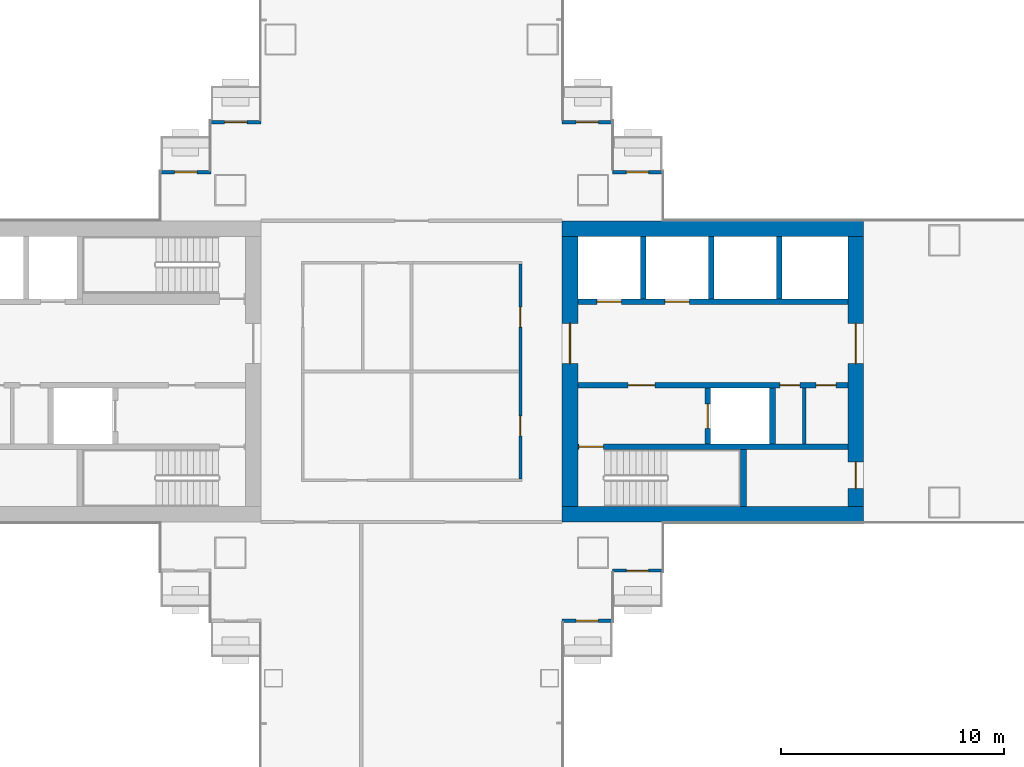
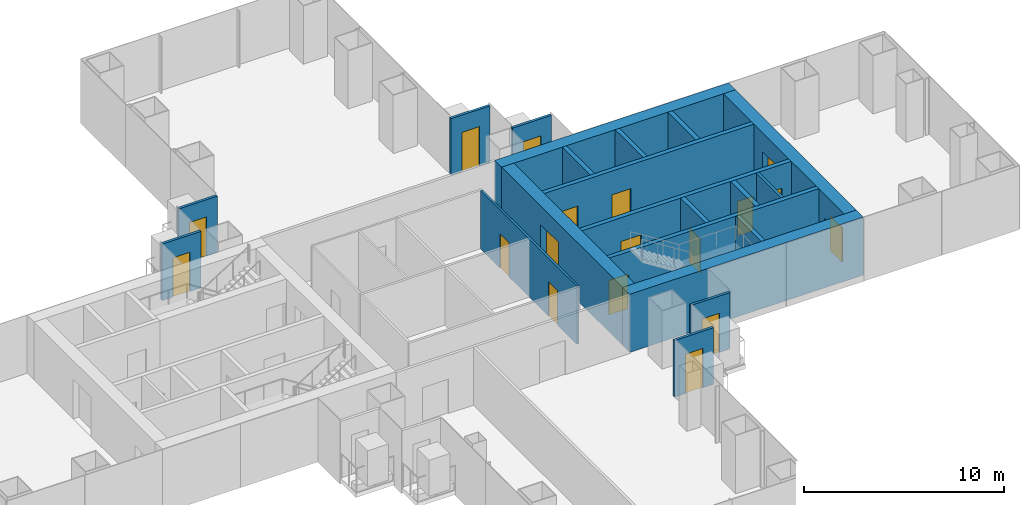
# One storey, part 15 of 21: 21 walls, 18 doors, 18 openings.
"""IFC4 building model written with IfcOpenShell, lengths in metres."""

from ifc_helpers import new_model, si_unit, direction, frame, frame_2d, origin, place, context, subcontext, project, spatial, rectangle, extrude, material, layer, layer_set, type_object, element, fill, save


model = new_model("IFC4")

# Units and contexts
model_context = context("Model", 3, precision=1e-05, world=origin(), true_north=direction((0.0, 1.0)))
body_context = subcontext(model_context, "Body", "Model", "MODEL_VIEW")
ifc_project = project(units=[si_unit("LENGTHUNIT", "METRE"), si_unit("AREAUNIT", "SQUARE_METRE"), si_unit("VOLUMEUNIT", "CUBIC_METRE"), si_unit("PLANEANGLEUNIT", "RADIAN"), si_unit("MASSUNIT", "GRAM", prefix="KILO")], contexts=[model_context])

# Site, building, storey
site_placement = place(None, origin())
site = spatial("IfcSite", under=ifc_project, at=site_placement, CompositionType="ELEMENT")
building_placement = place(site_placement, origin())
building = spatial("IfcBuilding", under=site, at=building_placement, Name="Shamsa Quay Exchange Towers", CompositionType="ELEMENT")
storey_placement = place(building_placement, frame((0.0, 0.0, 61.5)))
storey = spatial("IfcBuildingStorey", under=building, at=storey_placement, Name="L13", CompositionType="ELEMENT", Elevation=61.5)

# Wall, opening, door
ifc_material_1 = material(Name="Aluminium EN AW-6063 T6, black anodised, with black enamelled glass infill", Category="aluminium")
ifc_layer_1 = layer(ifc_material_1, 0.14990234375)
ifc_layer_set_1 = layer_set([ifc_layer_1], Name="BALCONY DOOR BAY WALL 150")
wall_type_1 = type_object("IfcWallType", Name="BALCONY DOOR BAY WALL 150", PredefinedType="SOLIDWALL", material=ifc_layer_set_1)
wall_1_placement = place(storey_placement, frame((-24.75, 8.925048828125, 0.0)))
wall_1 = element("IfcWall", 1, at=wall_1_placement, inside=storey, type_object=wall_type_1, Name="Door bay T1-PKEN L13", PredefinedType="SOLIDWALL", context=body_context, shape_type="SweptSolid", body=[
    extrude(rectangle(XDim=2.25, YDim=0.14990234375, at=frame_2d((1.125, 0.0))), origin(), (0.0, 0.0, 1.0), 3.449951171875),
])
opening_1_placement = place(wall_1_placement, frame((0.625, 0.0, 0.0)))
opening_1 = element("IfcOpeningElement", 2, at=opening_1_placement, cuts=wall_1, Name="Opening XD073", PredefinedType="OPENING", context=body_context, shape_type="SweptSolid", body=[
    extrude(rectangle(XDim=1.0, YDim=2.39990234375, at=frame_2d((0.5, 1.199951171875))), frame((0.0, 0.0849609375, 0.0), z_axis=(0.0, -1.0, 0.0), x_axis=(1.0, 0.0, 0.0)), (0.0, 0.0, 1.0), 0.169921875),
])
ifc_material_2 = material(Name="Aluminium EN AW-6063 T6, black anodised, with laminated glass leaf", Category="aluminium")
door_type_1 = type_object("IfcDoorType", Name="BALCONY DOOR 1000x2400", OperationType="SINGLE_SWING_LEFT", PredefinedType="DOOR", material=ifc_material_2)
door_1_placement = place(opening_1_placement, origin())
door_1 = element("IfcDoor", 3, at=door_1_placement, inside=storey, type_object=door_type_1, Name="Balcony door T1-PKEN L13", OperationType="SINGLE_SWING_RIGHT", OverallHeight=2.39990234375, OverallWidth=1.0, PredefinedType="DOOR", context=body_context, shape_type="SweptSolid", body=[
    extrude(rectangle(XDim=1.0, YDim=2.39990234375, at=frame_2d((0.5, 1.199951171875))), frame((0.0, 0.02490234375, 0.0), z_axis=(0.0, -1.0, 0.0), x_axis=(1.0, 0.0, 0.0)), (0.0, 0.0, 1.0), 0.050048828125),
])
fill(opening_1, door_1)

wall_2_placement = place(storey_placement, frame((-27.0, 11.175048828125, 0.0)))
wall_2 = element("IfcWall", 4, at=wall_2_placement, inside=storey, type_object=wall_type_1, Name="Door bay T1-PKEN L13", PredefinedType="SOLIDWALL", context=body_context, shape_type="SweptSolid", body=[
    extrude(rectangle(XDim=2.25, YDim=0.14990234375, at=frame_2d((1.125, 0.0))), origin(), (0.0, 0.0, 1.0), 3.449951171875),
])
opening_2_placement = place(wall_2_placement, frame((0.625, 0.0, 0.0)))
opening_2 = element("IfcOpeningElement", 5, at=opening_2_placement, cuts=wall_2, Name="Opening XD074", PredefinedType="OPENING", context=body_context, shape_type="SweptSolid", body=[
    extrude(rectangle(XDim=1.0, YDim=2.39990234375, at=frame_2d((0.5, 1.199951171875))), frame((0.0, 0.0849609375, 0.0), z_axis=(0.0, -1.0, 0.0), x_axis=(1.0, 0.0, 0.0)), (0.0, 0.0, 1.0), 0.169921875),
])
door_2_placement = place(opening_2_placement, origin())
door_2 = element("IfcDoor", 6, at=door_2_placement, inside=storey, type_object=door_type_1, Name="Balcony door T1-PKEN L13", OperationType="SINGLE_SWING_LEFT", OverallHeight=2.39990234375, OverallWidth=1.0, PredefinedType="DOOR", context=body_context, shape_type="SweptSolid", body=[
    extrude(rectangle(XDim=1.0, YDim=2.39990234375, at=frame_2d((0.5, 1.199951171875))), frame((0.0, 0.02490234375, 0.0), z_axis=(0.0, -1.0, 0.0), x_axis=(1.0, 0.0, 0.0)), (0.0, 0.0, 1.0), 0.050048828125),
])
fill(opening_2, door_2)

wall_3_placement = place(storey_placement, frame((-22.5, -8.925048828125, 0.0), z_axis=(0.0, 0.0, 1.0), x_axis=(-1.0, 0.0, 0.0)))
wall_3 = element("IfcWall", 7, at=wall_3_placement, inside=storey, type_object=wall_type_1, Name="Door bay T1-PKES L13", PredefinedType="SOLIDWALL", context=body_context, shape_type="SweptSolid", body=[
    extrude(rectangle(XDim=2.25, YDim=0.14990234375, at=frame_2d((1.125, 0.0))), origin(), (0.0, 0.0, 1.0), 3.449951171875),
])
opening_3_placement = place(wall_3_placement, frame((0.625, 0.0, 0.0)))
opening_3 = element("IfcOpeningElement", 8, at=opening_3_placement, cuts=wall_3, Name="Opening XD075", PredefinedType="OPENING", context=body_context, shape_type="SweptSolid", body=[
    extrude(rectangle(XDim=1.0, YDim=2.39990234375, at=frame_2d((0.5, 1.199951171875))), frame((0.0, 0.0849609375, 0.0), z_axis=(0.0, -1.0, 0.0), x_axis=(1.0, 0.0, 0.0)), (0.0, 0.0, 1.0), 0.169921875),
])
door_3_placement = place(opening_3_placement, origin())
door_3 = element("IfcDoor", 9, at=door_3_placement, inside=storey, type_object=door_type_1, Name="Balcony door T1-PKES L13", OperationType="SINGLE_SWING_RIGHT", OverallHeight=2.39990234375, OverallWidth=1.0, PredefinedType="DOOR", context=body_context, shape_type="SweptSolid", body=[
    extrude(rectangle(XDim=1.0, YDim=2.39990234375, at=frame_2d((0.5, 1.199951171875))), frame((0.0, 0.02490234375, 0.0), z_axis=(0.0, -1.0, 0.0), x_axis=(1.0, 0.0, 0.0)), (0.0, 0.0, 1.0), 0.050048828125),
])
fill(opening_3, door_3)

wall_4_placement = place(storey_placement, frame((-24.75, -11.175048828125, 0.0), z_axis=(0.0, 0.0, 1.0), x_axis=(-1.0, 0.0, 0.0)))
wall_4 = element("IfcWall", 10, at=wall_4_placement, inside=storey, type_object=wall_type_1, Name="Door bay T1-PKES L13", PredefinedType="SOLIDWALL", context=body_context, shape_type="SweptSolid", body=[
    extrude(rectangle(XDim=2.25, YDim=0.14990234375, at=frame_2d((1.125, 0.0))), origin(), (0.0, 0.0, 1.0), 3.449951171875),
])
opening_4_placement = place(wall_4_placement, frame((0.625, 0.0, 0.0)))
opening_4 = element("IfcOpeningElement", 11, at=opening_4_placement, cuts=wall_4, Name="Opening XD076", PredefinedType="OPENING", context=body_context, shape_type="SweptSolid", body=[
    extrude(rectangle(XDim=1.0, YDim=2.39990234375, at=frame_2d((0.5, 1.199951171875))), frame((0.0, 0.0849609375, 0.0), z_axis=(0.0, -1.0, 0.0), x_axis=(1.0, 0.0, 0.0)), (0.0, 0.0, 1.0), 0.169921875),
])
door_4_placement = place(opening_4_placement, origin())
door_4 = element("IfcDoor", 12, at=door_4_placement, inside=storey, type_object=door_type_1, Name="Balcony door T1-PKES L13", OperationType="SINGLE_SWING_LEFT", OverallHeight=2.39990234375, OverallWidth=1.0, PredefinedType="DOOR", context=body_context, shape_type="SweptSolid", body=[
    extrude(rectangle(XDim=1.0, YDim=2.39990234375, at=frame_2d((0.5, 1.199951171875))), frame((0.0, 0.02490234375, 0.0), z_axis=(0.0, -1.0, 0.0), x_axis=(1.0, 0.0, 0.0)), (0.0, 0.0, 1.0), 0.050048828125),
])
fill(opening_4, door_4)

wall_5_placement = place(storey_placement, frame((-42.75, 11.175048828125, 0.0)))
wall_5 = element("IfcWall", 13, at=wall_5_placement, inside=storey, type_object=wall_type_1, Name="Door bay T1-PKWN L13", PredefinedType="SOLIDWALL", context=body_context, shape_type="SweptSolid", body=[
    extrude(rectangle(XDim=2.25, YDim=0.14990234375, at=frame_2d((1.125, 0.0))), origin(), (0.0, 0.0, 1.0), 3.449951171875),
])
opening_5_placement = place(wall_5_placement, frame((0.625, 0.0, 0.0)))
opening_5 = element("IfcOpeningElement", 14, at=opening_5_placement, cuts=wall_5, Name="Opening XD077", PredefinedType="OPENING", context=body_context, shape_type="SweptSolid", body=[
    extrude(rectangle(XDim=1.0, YDim=2.39990234375, at=frame_2d((0.5, 1.199951171875))), frame((0.0, 0.0849609375, 0.0), z_axis=(0.0, -1.0, 0.0), x_axis=(1.0, 0.0, 0.0)), (0.0, 0.0, 1.0), 0.169921875),
])
door_5_placement = place(opening_5_placement, origin())
door_5 = element("IfcDoor", 15, at=door_5_placement, inside=storey, type_object=door_type_1, Name="Balcony door T1-PKWN L13", OperationType="SINGLE_SWING_LEFT", OverallHeight=2.39990234375, OverallWidth=1.0, PredefinedType="DOOR", context=body_context, shape_type="SweptSolid", body=[
    extrude(rectangle(XDim=1.0, YDim=2.39990234375, at=frame_2d((0.5, 1.199951171875))), frame((0.0, 0.02490234375, 0.0), z_axis=(0.0, -1.0, 0.0), x_axis=(1.0, 0.0, 0.0)), (0.0, 0.0, 1.0), 0.050048828125),
])
fill(opening_5, door_5)

wall_6_placement = place(storey_placement, frame((-45.0, 8.925048828125, 0.0)))
wall_6 = element("IfcWall", 16, at=wall_6_placement, inside=storey, type_object=wall_type_1, Name="Door bay T1-PKWN L13", PredefinedType="SOLIDWALL", context=body_context, shape_type="SweptSolid", body=[
    extrude(rectangle(XDim=2.25, YDim=0.14990234375, at=frame_2d((1.125, 0.0))), origin(), (0.0, 0.0, 1.0), 3.449951171875),
])
opening_6_placement = place(wall_6_placement, frame((0.625, 0.0, 0.0)))
opening_6 = element("IfcOpeningElement", 17, at=opening_6_placement, cuts=wall_6, Name="Opening XD078", PredefinedType="OPENING", context=body_context, shape_type="SweptSolid", body=[
    extrude(rectangle(XDim=1.0, YDim=2.39990234375, at=frame_2d((0.5, 1.199951171875))), frame((0.0, 0.0849609375, 0.0), z_axis=(0.0, -1.0, 0.0), x_axis=(1.0, 0.0, 0.0)), (0.0, 0.0, 1.0), 0.169921875),
])
door_6_placement = place(opening_6_placement, origin())
door_6 = element("IfcDoor", 18, at=door_6_placement, inside=storey, type_object=door_type_1, Name="Balcony door T1-PKWN L13", OperationType="SINGLE_SWING_RIGHT", OverallHeight=2.39990234375, OverallWidth=1.0, PredefinedType="DOOR", context=body_context, shape_type="SweptSolid", body=[
    extrude(rectangle(XDim=1.0, YDim=2.39990234375, at=frame_2d((0.5, 1.199951171875))), frame((0.0, 0.02490234375, 0.0), z_axis=(0.0, -1.0, 0.0), x_axis=(1.0, 0.0, 0.0)), (0.0, 0.0, 1.0), 0.050048828125),
])
fill(opening_6, door_6)

# Walls
ifc_material_3 = material(Name="Concrete C80/95", Category="concrete")
ifc_layer_2 = layer(ifc_material_3, 0.699951171875)
ifc_layer_set_2 = layer_set([ifc_layer_2], Name="CORE WALL 700 C80/95")
wall_type_2 = type_object("IfcWallType", Name="CORE WALL 700 C80/95", PredefinedType="SHEAR", material=ifc_layer_set_2)
for number, where, name in (
    (19, (-27.0, -6.39990234375, 0.0), "Core wall T1A-R06-PS"),
    (20, (-27.0, 6.39990234375, 0.0), "Core wall T1A-R06-PN"),
):
    element("IfcWall", number, at=place(storey_placement, frame(where)), inside=storey, type_object=wall_type_2, Name=name, PredefinedType="SHEAR", context=body_context, shape_type="SweptSolid", body=[
        extrude(rectangle(XDim=13.5, YDim=0.699951171875, at=frame_2d((6.75, 0.0))), origin(), (0.0, 0.0, 1.0), 3.550048828125),
    ])

# Wall, opening, door
wall_7_placement = place(storey_placement, frame((-26.64990234375, 6.050048828125, 0.0), z_axis=(0.0, 0.0, 1.0), x_axis=(0.0, -1.0, 0.0)))
wall_7 = element("IfcWall", 21, at=wall_7_placement, inside=storey, type_object=wall_type_2, Name="Core wall T1A-R06-PF", PredefinedType="SHEAR", context=body_context, shape_type="SweptSolid", body=[
    extrude(rectangle(XDim=12.10009765625, YDim=0.699951171875, at=frame_2d((6.050048828125, 0.0))), origin(), (0.0, 0.0, 1.0), 3.550048828125),
])
opening_7_placement = place(wall_7_placement, frame((3.89990234375, 0.0, 0.0)))
opening_7 = element("IfcOpeningElement", 22, at=opening_7_placement, cuts=wall_7, Name="Opening T1A-R06-LBD01", PredefinedType="OPENING", context=body_context, shape_type="SweptSolid", body=[
    extrude(rectangle(XDim=1.800048828125, YDim=2.39990234375, at=frame_2d((0.89990234375, 1.199951171875))), frame((0.0, 0.35986328125, 0.0), z_axis=(0.0, -1.0, 0.0), x_axis=(1.0, 0.0, 0.0)), (0.0, 0.0, 1.0), 0.719970703125),
])
ifc_material_4 = material(Name="Steel, fire rated", Category="steel")
door_type_2 = type_object("IfcDoorType", Name="LIFT LOBBY DOOR PAIR 1800", OperationType="DOUBLE_DOOR_SINGLE_SWING", PredefinedType="DOOR", material=ifc_material_4)
door_7_placement = place(opening_7_placement, origin())
door_7 = element("IfcDoor", 23, at=door_7_placement, inside=storey, type_object=door_type_2, Name="T1A-R06-LBD01", OperationType="DOUBLE_DOOR_SINGLE_SWING", OverallHeight=2.39990234375, OverallWidth=1.800048828125, PredefinedType="DOOR", context=body_context, shape_type="SweptSolid", body=[
    extrude(rectangle(XDim=1.800048828125, YDim=2.39990234375, at=frame_2d((0.89990234375, 1.199951171875))), frame((0.0, 0.02490234375, 0.0), z_axis=(0.0, -1.0, 0.0), x_axis=(1.0, 0.0, 0.0)), (0.0, 0.0, 1.0), 0.050048828125),
])
fill(opening_7, door_7)

# Wall, openings, doors
wall_8_placement = place(storey_placement, frame((-13.85009765625, 6.050048828125, 0.0), z_axis=(0.0, 0.0, 1.0), x_axis=(0.0, -1.0, 0.0)))
wall_8 = element("IfcWall", 24, at=wall_8_placement, inside=storey, type_object=wall_type_2, Name="Core wall T1A-R06-PB", PredefinedType="SHEAR", context=body_context, shape_type="SweptSolid", body=[
    extrude(rectangle(XDim=12.10009765625, YDim=0.699951171875, at=frame_2d((6.050048828125, 0.0))), origin(), (0.0, 0.0, 1.0), 3.550048828125),
])
opening_8_placement = place(wall_8_placement, frame((10.10009765625, 0.0, 0.0)))
opening_8 = element("IfcOpeningElement", 25, at=opening_8_placement, cuts=wall_8, Name="Opening T1A-R06-RD02", PredefinedType="OPENING", context=body_context, shape_type="SweptSolid", body=[
    extrude(rectangle(XDim=1.199951171875, YDim=2.10009765625, at=frame_2d((0.60009765625, 1.050048828125))), frame((0.0, 0.35986328125, 0.0), z_axis=(0.0, -1.0, 0.0), x_axis=(1.0, 0.0, 0.0)), (0.0, 0.0, 1.0), 0.719970703125),
])
opening_9_placement = place(wall_8_placement, frame((3.89990234375, 0.0, 0.0)))
opening_9 = element("IfcOpeningElement", 26, at=opening_9_placement, cuts=wall_8, Name="Opening T1A-R06-LBD03", PredefinedType="OPENING", context=body_context, shape_type="SweptSolid", body=[
    extrude(rectangle(XDim=1.800048828125, YDim=2.39990234375, at=frame_2d((0.89990234375, 1.199951171875))), frame((0.0, 0.35986328125, 0.0), z_axis=(0.0, -1.0, 0.0), x_axis=(1.0, 0.0, 0.0)), (0.0, 0.0, 1.0), 0.719970703125),
])
door_8_placement = place(opening_9_placement, origin())
door_8 = element("IfcDoor", 27, at=door_8_placement, inside=storey, type_object=door_type_2, Name="T1A-R06-LBD03", OperationType="DOUBLE_DOOR_SINGLE_SWING", OverallHeight=2.39990234375, OverallWidth=1.800048828125, PredefinedType="DOOR", context=body_context, shape_type="SweptSolid", body=[
    extrude(rectangle(XDim=1.800048828125, YDim=2.39990234375, at=frame_2d((0.89990234375, 1.199951171875))), frame((0.0, 0.02490234375, 0.0), z_axis=(0.0, -1.0, 0.0), x_axis=(1.0, 0.0, 0.0)), (0.0, 0.0, 1.0), 0.050048828125),
])
fill(opening_9, door_8)
door_type_3 = type_object("IfcDoorType", Name="RISER ACCESS DOOR 1200", OperationType="SINGLE_SWING_LEFT", PredefinedType="DOOR", material=ifc_material_4)
door_9_placement = place(opening_8_placement, origin())
door_9 = element("IfcDoor", 28, at=door_9_placement, inside=storey, type_object=door_type_3, Name="T1A-R06-RD02", OperationType="SINGLE_SWING_RIGHT", OverallHeight=2.10009765625, OverallWidth=1.199951171875, PredefinedType="DOOR", context=body_context, shape_type="SweptSolid", body=[
    extrude(rectangle(XDim=1.199951171875, YDim=2.10009765625, at=frame_2d((0.60009765625, 1.050048828125))), frame((0.0, 0.02490234375, 0.0), z_axis=(0.0, -1.0, 0.0), x_axis=(1.0, 0.0, 0.0)), (0.0, 0.0, 1.0), 0.050048828125),
])
fill(opening_8, door_9)

# Wall
ifc_material_5 = material(Name="Gypsum board on steel studs, EI 60", Category="steel")
ifc_layer_3 = layer(ifc_material_5, 0.14990234375)
ifc_layer_set_3 = layer_set([ifc_layer_3], Name="FIRE PARTITION 150")
wall_type_3 = type_object("IfcWallType", Name="FIRE PARTITION 150", PredefinedType="PARTITIONING", material=ifc_layer_set_3)
wall_9_placement = place(storey_placement, frame((-16.14990234375, -3.25, 0.0), z_axis=(0.0, 0.0, 1.0), x_axis=(0.0, 1.0, 0.0)))
element("IfcWall", 29, at=wall_9_placement, inside=storey, type_object=wall_type_3, Name="Partition T1A-R06-EC0", PredefinedType="PARTITIONING", context=body_context, shape_type="SweptSolid", body=[
    extrude(rectangle(XDim=2.5, YDim=0.14990234375, at=frame_2d((1.25, 0.0))), origin(), (0.0, 0.0, 1.0), 3.550048828125),
])

# Wall, openings, doors
ifc_material_6 = material(Name="Laminated fire-resisting glass in a metal frame", Category="glass")
ifc_layer_4 = layer(ifc_material_6, 0.125)
ifc_layer_set_4 = layer_set([ifc_layer_4], Name="Glazed partition 125 mm EI 60")
wall_type_4 = type_object("IfcWallType", Name="Glazed partition 125 mm EI 60", PredefinedType="PARTITIONING", material=ifc_layer_set_4)
wall_10_placement = place(storey_placement, frame((-28.875, -4.8125, 0.0), z_axis=(0.0, 0.0, 1.0), x_axis=(0.0, 1.0, 0.0)))
wall_10 = element("IfcWall", 30, at=wall_10_placement, inside=storey, type_object=wall_type_4, Name="Partition T1-R06-W01", PredefinedType="PARTITIONING", context=body_context, shape_type="SweptSolid", body=[
    extrude(rectangle(XDim=9.625, YDim=0.125, at=frame_2d((4.8125, 0.0))), origin(), (0.0, 0.0, 1.0), 3.550048828125),
])
opening_10_placement = place(wall_10_placement, frame((1.925048828125, 0.0, 0.0)))
opening_10 = element("IfcOpeningElement", 31, at=opening_10_placement, cuts=wall_10, Name="Opening T1-R06-D05", PredefinedType="OPENING", context=body_context, shape_type="SweptSolid", body=[
    extrude(rectangle(XDim=0.89990234375, YDim=2.10009765625, at=frame_2d((0.449951171875, 1.050048828125))), frame((0.0, 0.072509765625, 0.0), z_axis=(0.0, -1.0, 0.0), x_axis=(1.0, 0.0, 0.0)), (0.0, 0.0, 1.0), 0.14501953125),
])
opening_11_placement = place(wall_10_placement, frame((6.800048828125, 0.0, 0.0)))
opening_11 = element("IfcOpeningElement", 32, at=opening_11_placement, cuts=wall_10, Name="Opening T1-R06-D06", PredefinedType="OPENING", context=body_context, shape_type="SweptSolid", body=[
    extrude(rectangle(XDim=0.89990234375, YDim=2.10009765625, at=frame_2d((0.449951171875, 1.050048828125))), frame((0.0, 0.072509765625, 0.0), z_axis=(0.0, -1.0, 0.0), x_axis=(1.0, 0.0, 0.0)), (0.0, 0.0, 1.0), 0.14501953125),
])
ifc_material_7 = material(Name="Timber door leaf in a metal frame", Category="wood")
door_type_4 = type_object("IfcDoorType", Name="Door 900x2100 FD30S", OperationType="NOTDEFINED", PredefinedType="DOOR", material=ifc_material_7)
door_10_placement = place(opening_10_placement, origin())
door_10 = element("IfcDoor", 33, at=door_10_placement, inside=storey, type_object=door_type_4, Name="Door T1-R06-D05", OperationType="SINGLE_SWING_RIGHT", OverallHeight=2.10009765625, OverallWidth=0.89990234375, PredefinedType="DOOR", context=body_context, shape_type="SweptSolid", body=[
    extrude(rectangle(XDim=0.89990234375, YDim=2.10009765625, at=frame_2d((0.449951171875, 1.050048828125))), frame((0.0, 0.02490234375, 0.0), z_axis=(0.0, -1.0, 0.0), x_axis=(1.0, 0.0, 0.0)), (0.0, 0.0, 1.0), 0.050048828125),
])
fill(opening_10, door_10)
door_11_placement = place(opening_11_placement, origin())
door_11 = element("IfcDoor", 34, at=door_11_placement, inside=storey, type_object=door_type_4, Name="Door T1-R06-D06", OperationType="SINGLE_SWING_RIGHT", OverallHeight=2.10009765625, OverallWidth=0.89990234375, PredefinedType="DOOR", context=body_context, shape_type="SweptSolid", body=[
    extrude(rectangle(XDim=0.89990234375, YDim=2.10009765625, at=frame_2d((0.449951171875, 1.050048828125))), frame((0.0, 0.02490234375, 0.0), z_axis=(0.0, -1.0, 0.0), x_axis=(1.0, 0.0, 0.0)), (0.0, 0.0, 1.0), 0.050048828125),
])
fill(opening_11, door_11)

# Wall, opening, door
ifc_material_8 = material(Name="Concrete C50/60", Category="concrete")
ifc_layer_5 = layer(ifc_material_8, 0.25)
ifc_layer_set_5 = layer_set([ifc_layer_5], Name="SHAFT WALL 250 C50/60")
wall_type_5 = type_object("IfcWallType", Name="SHAFT WALL 250 C50/60", PredefinedType="SHEAR", material=ifc_layer_set_5)
wall_11_placement = place(storey_placement, frame((-14.199951171875, -3.375, 0.0), z_axis=(0.0, 0.0, 1.0), x_axis=(-1.0, 0.0, 0.0)))
wall_11 = element("IfcWall", 35, at=wall_11_placement, inside=storey, type_object=wall_type_5, Name="Shaft wall T1A-R06-STL", PredefinedType="SHEAR", context=body_context, shape_type="SweptSolid", body=[
    extrude(rectangle(XDim=12.10009765625, YDim=0.25, at=frame_2d((6.050048828125, 0.0))), origin(), (0.0, 0.0, 1.0), 3.550048828125),
])
opening_12_placement = place(wall_11_placement, frame((10.949951171875, 0.0, 0.0)))
opening_12 = element("IfcOpeningElement", 36, at=opening_12_placement, cuts=wall_11, Name="Opening T1A-R06-SD04", PredefinedType="OPENING", context=body_context, shape_type="SweptSolid", body=[
    extrude(rectangle(XDim=1.10009765625, YDim=2.10009765625, at=frame_2d((0.550048828125, 1.050048828125))), frame((0.0, 0.135009765625, 0.0), z_axis=(0.0, -1.0, 0.0), x_axis=(1.0, 0.0, 0.0)), (0.0, 0.0, 1.0), 0.27001953125),
])
door_type_5 = type_object("IfcDoorType", Name="STAIR DOOR 1100", OperationType="SINGLE_SWING_LEFT", PredefinedType="DOOR", material=ifc_material_4)
door_12_placement = place(opening_12_placement, origin())
door_12 = element("IfcDoor", 37, at=door_12_placement, inside=storey, type_object=door_type_5, Name="T1A-R06-SD04", OperationType="SINGLE_SWING_RIGHT", OverallHeight=2.10009765625, OverallWidth=1.10009765625, PredefinedType="DOOR", context=body_context, shape_type="SweptSolid", body=[
    extrude(rectangle(XDim=1.10009765625, YDim=2.10009765625, at=frame_2d((0.550048828125, 1.050048828125))), frame((0.0, 0.02490234375, 0.0), z_axis=(0.0, -1.0, 0.0), x_axis=(1.0, 0.0, 0.0)), (0.0, 0.0, 1.0), 0.050048828125),
])
fill(opening_12, door_12)

# Wall
wall_12_placement = place(storey_placement, frame((-18.875, -6.050048828125, 0.0), z_axis=(0.0, 0.0, 1.0), x_axis=(0.0, 1.0, 0.0)))
element("IfcWall", 38, at=wall_12_placement, inside=storey, type_object=wall_type_5, Name="Shaft wall T1A-R06-STF", PredefinedType="SHEAR", context=body_context, shape_type="SweptSolid", body=[
    extrude(rectangle(XDim=2.550048828125, YDim=0.25, at=frame_2d((1.27490234375, 0.0))), origin(), (0.0, 0.0, 1.0), 3.550048828125),
])

# Wall, openings, doors
wall_13_placement = place(storey_placement, frame((-14.199951171875, -0.625, 0.0), z_axis=(0.0, 0.0, 1.0), x_axis=(-1.0, 0.0, 0.0)))
wall_13 = element("IfcWall", 39, at=wall_13_placement, inside=storey, type_object=wall_type_5, Name="Shaft wall T1A-R06-B", PredefinedType="SHEAR", context=body_context, shape_type="SweptSolid", body=[
    extrude(rectangle(XDim=12.10009765625, YDim=0.25, at=frame_2d((6.050048828125, 0.0))), origin(), (0.0, 0.0, 1.0), 3.550048828125),
])
opening_13_placement = place(wall_13_placement, frame((8.64990234375, 0.0, 0.0)))
opening_13 = element("IfcOpeningElement", 40, at=opening_13_placement, cuts=wall_13, Name="Opening T1A-R06-FD05", PredefinedType="OPENING", context=body_context, shape_type="SweptSolid", body=[
    extrude(rectangle(XDim=1.199951171875, YDim=2.10009765625, at=frame_2d((0.60009765625, 1.050048828125))), frame((0.0, 0.135009765625, 0.0), z_axis=(0.0, -1.0, 0.0), x_axis=(1.0, 0.0, 0.0)), (0.0, 0.0, 1.0), 0.27001953125),
])
opening_14_placement = place(wall_13_placement, frame((2.14990234375, 0.0, 0.0)))
opening_14 = element("IfcOpeningElement", 41, at=opening_14_placement, cuts=wall_13, Name="Opening T1A-R06-SV06", PredefinedType="OPENING", context=body_context, shape_type="SweptSolid", body=[
    extrude(rectangle(XDim=0.89990234375, YDim=2.10009765625, at=frame_2d((0.449951171875, 1.050048828125))), frame((0.0, 0.135009765625, 0.0), z_axis=(0.0, -1.0, 0.0), x_axis=(1.0, 0.0, 0.0)), (0.0, 0.0, 1.0), 0.27001953125),
])
opening_15_placement = place(wall_13_placement, frame((0.52490234375, 0.0, 0.0)))
opening_15 = element("IfcOpeningElement", 42, at=opening_15_placement, cuts=wall_13, Name="Opening T1A-R06-SV07", PredefinedType="OPENING", context=body_context, shape_type="SweptSolid", body=[
    extrude(rectangle(XDim=0.89990234375, YDim=2.10009765625, at=frame_2d((0.449951171875, 1.050048828125))), frame((0.0, 0.135009765625, 0.0), z_axis=(0.0, -1.0, 0.0), x_axis=(1.0, 0.0, 0.0)), (0.0, 0.0, 1.0), 0.27001953125),
])
door_type_6 = type_object("IfcDoorType", Name="FIRE SERVICE LOBBY DOOR 1200", OperationType="SINGLE_SWING_LEFT", PredefinedType="DOOR", material=ifc_material_4)
door_13_placement = place(opening_13_placement, origin())
door_13 = element("IfcDoor", 43, at=door_13_placement, inside=storey, type_object=door_type_6, Name="T1A-R06-FD05", OperationType="SINGLE_SWING_RIGHT", OverallHeight=2.10009765625, OverallWidth=1.199951171875, PredefinedType="DOOR", context=body_context, shape_type="SweptSolid", body=[
    extrude(rectangle(XDim=1.199951171875, YDim=2.10009765625, at=frame_2d((0.60009765625, 1.050048828125))), frame((0.0, 0.02490234375, 0.0), z_axis=(0.0, -1.0, 0.0), x_axis=(1.0, 0.0, 0.0)), (0.0, 0.0, 1.0), 0.050048828125),
])
fill(opening_13, door_13)
door_type_7 = type_object("IfcDoorType", Name="SERVICE ROOM DOOR 900", OperationType="SINGLE_SWING_LEFT", PredefinedType="DOOR", material=ifc_material_4)
door_14_placement = place(opening_14_placement, origin())
door_14 = element("IfcDoor", 44, at=door_14_placement, inside=storey, type_object=door_type_7, Name="T1A-R06-SV06", OperationType="SINGLE_SWING_LEFT", OverallHeight=2.10009765625, OverallWidth=0.89990234375, PredefinedType="DOOR", context=body_context, shape_type="SweptSolid", body=[
    extrude(rectangle(XDim=0.89990234375, YDim=2.10009765625, at=frame_2d((0.449951171875, 1.050048828125))), frame((0.0, 0.02490234375, 0.0), z_axis=(0.0, -1.0, 0.0), x_axis=(1.0, 0.0, 0.0)), (0.0, 0.0, 1.0), 0.050048828125),
])
fill(opening_14, door_14)
door_15_placement = place(opening_15_placement, origin())
door_15 = element("IfcDoor", 45, at=door_15_placement, inside=storey, type_object=door_type_7, Name="T1A-R06-SV07", OperationType="SINGLE_SWING_LEFT", OverallHeight=2.10009765625, OverallWidth=0.89990234375, PredefinedType="DOOR", context=body_context, shape_type="SweptSolid", body=[
    extrude(rectangle(XDim=0.89990234375, YDim=2.10009765625, at=frame_2d((0.449951171875, 1.050048828125))), frame((0.0, 0.02490234375, 0.0), z_axis=(0.0, -1.0, 0.0), x_axis=(1.0, 0.0, 0.0)), (0.0, 0.0, 1.0), 0.050048828125),
])
fill(opening_15, door_15)

# Wall, opening, door
wall_14_placement = place(storey_placement, frame((-20.47509765625, -3.25, 0.0), z_axis=(0.0, 0.0, 1.0), x_axis=(0.0, 1.0, 0.0)))
wall_14 = element("IfcWall", 46, at=wall_14_placement, inside=storey, type_object=wall_type_5, Name="Shaft wall T1A-R06-FFF", PredefinedType="SHEAR", context=body_context, shape_type="SweptSolid", body=[
    extrude(rectangle(XDim=2.5, YDim=0.25, at=frame_2d((1.25, 0.0))), origin(), (0.0, 0.0, 1.0), 3.550048828125),
])
opening_16_placement = place(wall_14_placement, frame((0.699951171875, 0.0, 0.0)))
opening_16 = element("IfcOpeningElement", 47, at=opening_16_placement, cuts=wall_14, Name="Opening T1A-R06-LDF08", PredefinedType="OPENING", context=body_context, shape_type="SweptSolid", body=[
    extrude(rectangle(XDim=1.10009765625, YDim=2.10009765625, at=frame_2d((0.550048828125, 1.050048828125))), frame((0.0, 0.135009765625, 0.0), z_axis=(0.0, -1.0, 0.0), x_axis=(1.0, 0.0, 0.0)), (0.0, 0.0, 1.0), 0.27001953125),
])
door_type_8 = type_object("IfcDoorType", Name="FIRE SERVICE LANDING DOOR 1100", OperationType="SLIDING_TO_LEFT", PredefinedType="DOOR", material=ifc_material_4)
door_16_placement = place(opening_16_placement, origin())
door_16 = element("IfcDoor", 48, at=door_16_placement, inside=storey, type_object=door_type_8, Name="T1A-R06-LDF08", OperationType="SLIDING_TO_LEFT", OverallHeight=2.10009765625, OverallWidth=1.10009765625, PredefinedType="DOOR", context=body_context, shape_type="SweptSolid", body=[
    extrude(rectangle(XDim=1.10009765625, YDim=2.10009765625, at=frame_2d((0.550048828125, 1.050048828125))), frame((0.0, 0.02490234375, 0.0), z_axis=(0.0, -1.0, 0.0), x_axis=(1.0, 0.0, 0.0)), (0.0, 0.0, 1.0), 0.050048828125),
])
fill(opening_16, door_16)

# Wall
wall_15_placement = place(storey_placement, frame((-17.574951171875, -3.25, 0.0), z_axis=(0.0, 0.0, 1.0), x_axis=(0.0, 1.0, 0.0)))
element("IfcWall", 49, at=wall_15_placement, inside=storey, type_object=wall_type_5, Name="Shaft wall T1A-R06-FFB", PredefinedType="SHEAR", context=body_context, shape_type="SweptSolid", body=[
    extrude(rectangle(XDim=2.5, YDim=0.25, at=frame_2d((1.25, 0.0))), origin(), (0.0, 0.0, 1.0), 3.550048828125),
])

# Wall, openings, doors
wall_16_placement = place(storey_placement, frame((-26.300048828125, 3.125, 0.0)))
wall_16 = element("IfcWall", 50, at=wall_16_placement, inside=storey, type_object=wall_type_5, Name="Shaft wall T1A-R06-N", PredefinedType="SHEAR", context=body_context, shape_type="SweptSolid", body=[
    extrude(rectangle(XDim=12.10009765625, YDim=0.25, at=frame_2d((6.050048828125, 0.0))), origin(), (0.0, 0.0, 1.0), 3.550048828125),
])
opening_17_placement = place(wall_16_placement, frame((0.85009765625, 0.0, 0.0)))
opening_17 = element("IfcOpeningElement", 51, at=opening_17_placement, cuts=wall_16, Name="Opening T1A-R06-LD09", PredefinedType="OPENING", context=body_context, shape_type="SweptSolid", body=[
    extrude(rectangle(XDim=1.10009765625, YDim=2.10009765625, at=frame_2d((0.550048828125, 1.050048828125))), frame((0.0, 0.135009765625, 0.0), z_axis=(0.0, -1.0, 0.0), x_axis=(1.0, 0.0, 0.0)), (0.0, 0.0, 1.0), 0.27001953125),
])
opening_18_placement = place(wall_16_placement, frame((3.89990234375, 0.0, 0.0)))
opening_18 = element("IfcOpeningElement", 52, at=opening_18_placement, cuts=wall_16, Name="Opening T1A-R06-LD10", PredefinedType="OPENING", context=body_context, shape_type="SweptSolid", body=[
    extrude(rectangle(XDim=1.10009765625, YDim=2.10009765625, at=frame_2d((0.550048828125, 1.050048828125))), frame((0.0, 0.135009765625, 0.0), z_axis=(0.0, -1.0, 0.0), x_axis=(1.0, 0.0, 0.0)), (0.0, 0.0, 1.0), 0.27001953125),
])
door_type_9 = type_object("IfcDoorType", Name="LANDING DOOR 1100", OperationType="SLIDING_TO_LEFT", PredefinedType="DOOR", material=ifc_material_4)
door_17_placement = place(opening_17_placement, origin())
door_17 = element("IfcDoor", 53, at=door_17_placement, inside=storey, type_object=door_type_9, Name="T1A-R06-LD09", OperationType="SLIDING_TO_LEFT", OverallHeight=2.10009765625, OverallWidth=1.10009765625, PredefinedType="DOOR", context=body_context, shape_type="SweptSolid", body=[
    extrude(rectangle(XDim=1.10009765625, YDim=2.10009765625, at=frame_2d((0.550048828125, 1.050048828125))), frame((0.0, 0.02490234375, 0.0), z_axis=(0.0, -1.0, 0.0), x_axis=(1.0, 0.0, 0.0)), (0.0, 0.0, 1.0), 0.050048828125),
])
fill(opening_17, door_17)
door_18_placement = place(opening_18_placement, origin())
door_18 = element("IfcDoor", 54, at=door_18_placement, inside=storey, type_object=door_type_9, Name="T1A-R06-LD10", OperationType="SLIDING_TO_LEFT", OverallHeight=2.10009765625, OverallWidth=1.10009765625, PredefinedType="DOOR", context=body_context, shape_type="SweptSolid", body=[
    extrude(rectangle(XDim=1.10009765625, YDim=2.10009765625, at=frame_2d((0.550048828125, 1.050048828125))), frame((0.0, 0.02490234375, 0.0), z_axis=(0.0, -1.0, 0.0), x_axis=(1.0, 0.0, 0.0)), (0.0, 0.0, 1.0), 0.050048828125),
])
fill(opening_18, door_18)

# Walls
for number, where, z_axis, x_axis, name in (
    (55, (-23.375, 3.25, 0.0), (0.0, 0.0, 1.0), (0.0, 1.0, 0.0), "Shaft wall T1A-R06-D0"),
    (56, (-20.324951171875, 3.25, 0.0), (0.0, 0.0, 1.0), (0.0, 1.0, 0.0), "Shaft wall T1A-R06-D1"),
    (57, (-17.27490234375, 3.25, 0.0), (0.0, 0.0, 1.0), (0.0, 1.0, 0.0), "Shaft wall T1A-R06-D2"),
):
    element("IfcWall", number, at=place(storey_placement, frame(where, z_axis=z_axis, x_axis=x_axis)), inside=storey, type_object=wall_type_5, Name=name, PredefinedType="SHEAR", context=body_context, shape_type="SweptSolid", body=[
        extrude(rectangle(XDim=2.800048828125, YDim=0.25, at=frame_2d((1.39990234375, 0.0))), origin(), (0.0, 0.0, 1.0), 3.550048828125),
    ])

save(model, "model.ifc")
